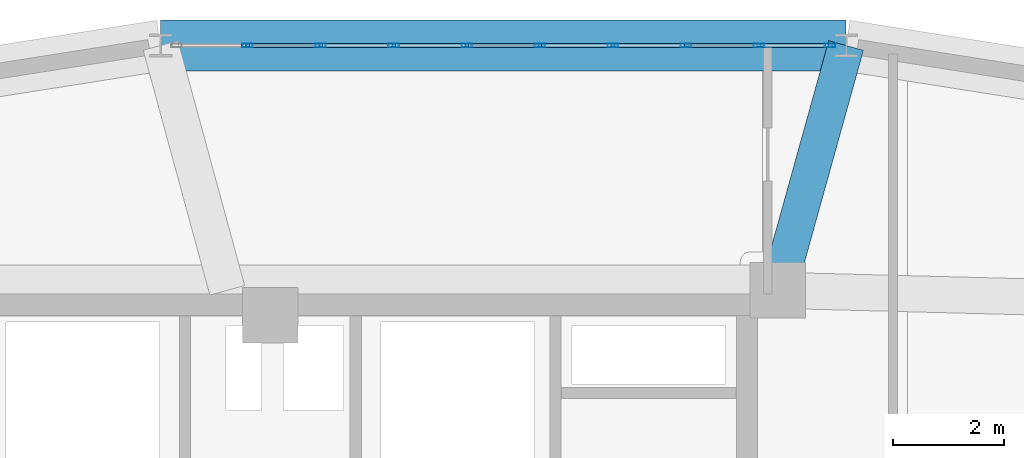
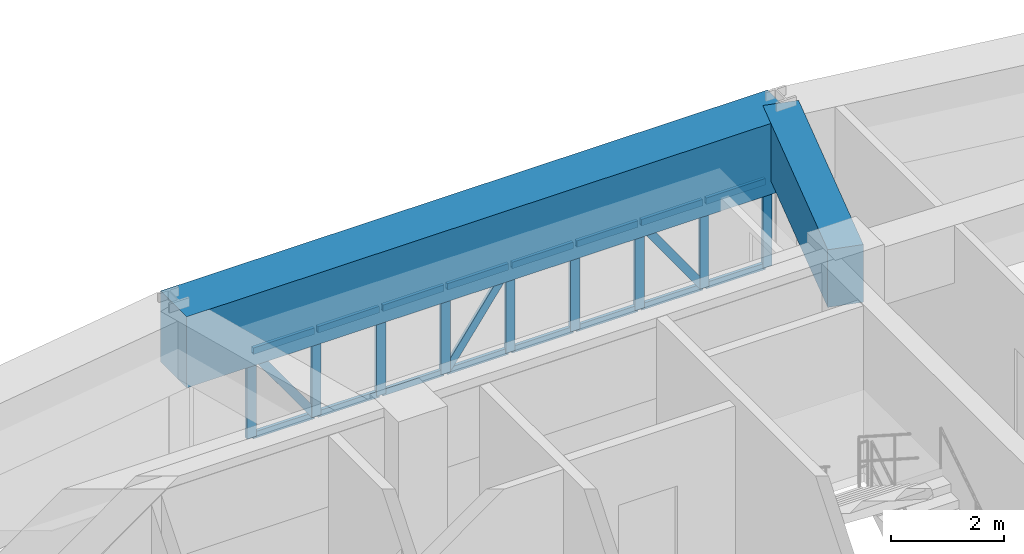
# One storey, part 10 of 16: 28 members, 2 beams, 1 element without a shape of its own.
"""IFC4 building model written with IfcOpenShell, lengths in metres."""

from ifc_helpers import new_model, si_unit, derived_unit, direction, frame, origin, origin_2d, place, context, subcontext, project, spatial, rectangle, hollow_rectangle, extrude, source, transform, mapped, material, layer, layer_set, material_profile, profile_set, type_object, element, aggregate, save


model = new_model("IFC4")

# Units and contexts
model_context = context("Model", 3, precision=1e-05, world=origin(), true_north=direction((0.0, 1.0)))
body_context = subcontext(model_context, "Body", "Model", "MODEL_VIEW")
ifc_project = project(units=[si_unit("LENGTHUNIT", "METRE"), si_unit("AREAUNIT", "SQUARE_METRE"), si_unit("VOLUMEUNIT", "CUBIC_METRE"), si_unit("PLANEANGLEUNIT", "RADIAN"), si_unit("MASSUNIT", "GRAM", prefix="KILO"), derived_unit("THERMALTRANSMITTANCEUNIT", [(si_unit("POWERUNIT", "WATT"), 1), (si_unit("LENGTHUNIT", "METRE"), -2), (si_unit("THERMODYNAMICTEMPERATUREUNIT", "KELVIN"), -1)])], contexts=[model_context])

# Site, building, storey
site_placement = place(None, origin())
site = spatial("IfcSite", under=ifc_project, at=site_placement, CompositionType="ELEMENT")
building_placement = place(site_placement, origin())
building = spatial("IfcBuilding", under=site, at=building_placement, Name="Korsvarv Bourse and Concert Hall", CompositionType="ELEMENT")
storey_placement = place(building_placement, frame((0.0, 0.0, 213.0)))
storey = spatial("IfcBuildingStorey", under=building, at=storey_placement, Name="L55", CompositionType="ELEMENT", Elevation=213.0)

# Beams
ifc_material_1 = material(Name="Concrete C50/60", Category="concrete")
ifc_material_profile_1 = material_profile(ifc_material_1, rectangle(XDim=0.919921875, YDim=1.530029296875, at=origin_2d()), Name="RC-BM 920x1530")
ifc_profile_set_1 = profile_set([ifc_material_profile_1], Name="Concrete C50/60")
beam_type_1 = type_object("IfcBeamType", Name="BM-TR-154", PredefinedType="BEAM", material=ifc_profile_set_1)
shared_shape_1 = source(origin(), body_context, "Body", "SweptSolid", [
    extrude(rectangle(XDim=0.919921875, YDim=1.530029296875, at=origin_2d()), origin(), (0.0, 0.0, 1.0), 12.353515625),
])
beam_1_placement = place(storey_placement, frame((46.376708984375, 51.66162109375, 2.64501953125), z_axis=(-1.0, 0.0, 0.0), x_axis=(0.0, -1.0, 0.0)))
element("IfcBeam", 1, at=beam_1_placement, inside=storey, type_object=beam_type_1, Name="L55 beam B-TR6", PredefinedType="BEAM", context=body_context, shape_type="MappedRepresentation", body=[
    mapped(shared_shape_1, transform((0.0, 0.0, 0.0), scale=1.0)),
])
ifc_material_profile_2 = material_profile(ifc_material_1, rectangle(XDim=0.64990234375, YDim=1.239990234375, at=origin_2d()), Name="RC-BM 650x1240")
ifc_profile_set_2 = profile_set([ifc_material_profile_2], Name="Concrete C50/60")
beam_type_2 = type_object("IfcBeamType", Name="BM-TR-SPN", PredefinedType="BEAM", material=ifc_profile_set_2)
shared_shape_2 = source(origin(), body_context, "Body", "SweptSolid", [
    extrude(rectangle(XDim=0.64990234375, YDim=1.239990234375, at=origin_2d()), origin(), (0.0, 0.0, 1.0), 4.5791015625),
])
beam_2_placement = place(storey_placement, frame((46.376708984375, 51.66162109375, 2.7900390625), z_axis=(-0.267918841219, -0.963441484741, 0.0), x_axis=(0.963441484741, -0.267918841219, 0.0)))
element("IfcBeam", 2, at=beam_2_placement, inside=storey, type_object=beam_type_2, Name="L55 beam B-TRS", PredefinedType="BEAM", context=body_context, shape_type="MappedRepresentation", body=[
    mapped(shared_shape_2, transform((0.0, 0.0, 0.0), scale=1.0)),
])

# Curtain wall, members
ifc_material_2 = material(Name="Anodised aluminium and triple low-E glazing", Category="glass")
ifc_layer = layer(ifc_material_2, 0.199951171875)
ifc_layer_set = layer_set([ifc_layer], Name="Anodised aluminium and triple low-E glazing")
curtain_wall_type = type_object("IfcCurtainWallType", Name="CW-SYS-3", PredefinedType="NOTDEFINED", material=ifc_layer_set)
curtain_wall_placement = place(storey_placement, origin())
curtain_wall = element("IfcCurtainWall", 3, at=curtain_wall_placement, inside=storey, type_object=curtain_wall_type, Name="L55 CW3 curtain wall CW-L55-F03", PredefinedType="NOTDEFINED")
ifc_material_3 = material(Name="Extruded aluminium EN AW-6063 T66", Category="aluminium")
ifc_material_profile_3 = material_profile(ifc_material_3, hollow_rectangle(XDim=0.06494140625, YDim=0.139892578125, WallThickness=0.00390625, at=origin_2d()), Name="ALU-T 65x140")
ifc_profile_set_3 = profile_set([ifc_material_profile_3], Name="Extruded aluminium EN AW-6063 T66")
member_type_1 = type_object("IfcMemberType", Name="CWT-140", PredefinedType="USERDEFINED", material=ifc_profile_set_3)
shared_shape_3 = source(origin(), body_context, "Body", "SweptSolid", [
    extrude(hollow_rectangle(XDim=0.06494140625, YDim=0.139892578125, WallThickness=0.00390625, at=origin_2d()), origin(), (0.0, 0.0, 1.0), 1.21142578125),
])
member_1_placement = place(storey_placement, frame((46.0537109375, 51.66162109375, 0.032470703125), z_axis=(-1.0, 0.0, 0.0), x_axis=(0.0, -1.0, 0.0)))
member_1 = element("IfcMember", 4, at=member_1_placement, type_object=member_type_1, Name="CW3 transom 1.1", ObjectType="TRANSOM", PredefinedType="USERDEFINED", context=body_context, shape_type="MappedRepresentation", body=[
    mapped(shared_shape_3, transform((0.0, 0.0, 0.0), scale=1.0)),
])
member_2_placement = place(storey_placement, frame((46.0537109375, 51.66162109375, 1.847412109375), z_axis=(-1.0, 0.0, 0.0), x_axis=(0.0, -1.0, 0.0)))
member_2 = element("IfcMember", 5, at=member_2_placement, type_object=member_type_1, Name="CW3 transom 1.2", ObjectType="TRANSOM", PredefinedType="USERDEFINED", context=body_context, shape_type="MappedRepresentation", body=[
    mapped(shared_shape_3, transform((0.0, 0.0, 0.0), scale=1.0)),
])
ifc_material_profile_4 = material_profile(ifc_material_3, hollow_rectangle(XDim=0.070068359375, YDim=0.18994140625, WallThickness=0.0048828125, at=origin_2d()), Name="ALU-M 70x190")
ifc_profile_set_4 = profile_set([ifc_material_profile_4], Name="Extruded aluminium EN AW-6063 T66")
member_type_2 = type_object("IfcMemberType", Name="CWM-190", PredefinedType="MULLION", material=ifc_profile_set_4)
shared_shape_4 = source(origin(), body_context, "Body", "SweptSolid", [
    extrude(hollow_rectangle(XDim=0.070068359375, YDim=0.18994140625, WallThickness=0.0048828125, at=origin_2d()), origin(), (0.0, 0.0, 1.0), 1.8798828125),
])
member_3_placement = place(storey_placement, frame((46.088623046875, 51.66162109375, 0.0), z_axis=(0.0, 0.0, 1.0), x_axis=(0.0, -1.0, 0.0)))
member_3 = element("IfcMember", 6, at=member_3_placement, type_object=member_type_2, Name="CW3 mullion 1", PredefinedType="MULLION", context=body_context, shape_type="MappedRepresentation", body=[
    mapped(shared_shape_4, transform((0.0, 0.0, 0.0), scale=1.0)),
])
member_4_placement = place(storey_placement, frame((44.807373046875, 51.66162109375, 0.0), z_axis=(0.0, 0.0, 1.0), x_axis=(0.0, -1.0, 0.0)))
member_4 = element("IfcMember", 7, at=member_4_placement, type_object=member_type_2, Name="CW3 mullion 2", PredefinedType="MULLION", context=body_context, shape_type="MappedRepresentation", body=[
    mapped(shared_shape_4, transform((0.0, 0.0, 0.0), scale=1.0)),
])
member_5_placement = place(storey_placement, frame((43.490966796875, 51.66162109375, 0.0), z_axis=(0.0, 0.0, 1.0), x_axis=(0.0, -1.0, 0.0)))
member_5 = element("IfcMember", 8, at=member_5_placement, type_object=member_type_2, Name="CW3 mullion 3", PredefinedType="MULLION", context=body_context, shape_type="MappedRepresentation", body=[
    mapped(shared_shape_4, transform((0.0, 0.0, 0.0), scale=1.0)),
])
member_6_placement = place(storey_placement, frame((42.174560546875, 51.66162109375, 0.0), z_axis=(0.0, 0.0, 1.0), x_axis=(0.0, -1.0, 0.0)))
member_6 = element("IfcMember", 9, at=member_6_placement, type_object=member_type_2, Name="CW3 mullion 4", PredefinedType="MULLION", context=body_context, shape_type="MappedRepresentation", body=[
    mapped(shared_shape_4, transform((0.0, 0.0, 0.0), scale=1.0)),
])
member_7_placement = place(storey_placement, frame((40.858154296875, 51.66162109375, 0.0), z_axis=(0.0, 0.0, 1.0), x_axis=(0.0, -1.0, 0.0)))
member_7 = element("IfcMember", 10, at=member_7_placement, type_object=member_type_2, Name="CW3 mullion 5", PredefinedType="MULLION", context=body_context, shape_type="MappedRepresentation", body=[
    mapped(shared_shape_4, transform((0.0, 0.0, 0.0), scale=1.0)),
])
member_8_placement = place(storey_placement, frame((39.541748046875, 51.66162109375, 0.0), z_axis=(0.0, 0.0, 1.0), x_axis=(0.0, -1.0, 0.0)))
member_8 = element("IfcMember", 11, at=member_8_placement, type_object=member_type_2, Name="CW3 mullion 6", PredefinedType="MULLION", context=body_context, shape_type="MappedRepresentation", body=[
    mapped(shared_shape_4, transform((0.0, 0.0, 0.0), scale=1.0)),
])
member_9_placement = place(storey_placement, frame((38.225341796875, 51.66162109375, 0.0), z_axis=(0.0, 0.0, 1.0), x_axis=(0.0, -1.0, 0.0)))
member_9 = element("IfcMember", 12, at=member_9_placement, type_object=member_type_2, Name="CW3 mullion 7", PredefinedType="MULLION", context=body_context, shape_type="MappedRepresentation", body=[
    mapped(shared_shape_4, transform((0.0, 0.0, 0.0), scale=1.0)),
])
member_10_placement = place(storey_placement, frame((36.908935546875, 51.66162109375, 0.0), z_axis=(0.0, 0.0, 1.0), x_axis=(0.0, -1.0, 0.0)))
member_10 = element("IfcMember", 13, at=member_10_placement, type_object=member_type_2, Name="CW3 mullion 8", PredefinedType="MULLION", context=body_context, shape_type="MappedRepresentation", body=[
    mapped(shared_shape_4, transform((0.0, 0.0, 0.0), scale=1.0)),
])
member_11_placement = place(storey_placement, frame((35.5927734375, 51.66162109375, 0.0), z_axis=(0.0, 0.0, 1.0), x_axis=(0.0, -1.0, 0.0)))
member_11 = element("IfcMember", 14, at=member_11_placement, type_object=member_type_2, Name="CW3 mullion 9", PredefinedType="MULLION", context=body_context, shape_type="MappedRepresentation", body=[
    mapped(shared_shape_4, transform((0.0, 0.0, 0.0), scale=1.0)),
])
shared_shape_5 = source(origin(), body_context, "Body", "SweptSolid", [
    extrude(hollow_rectangle(XDim=0.06494140625, YDim=0.139892578125, WallThickness=0.00390625, at=origin_2d()), origin(), (0.0, 0.0, 1.0), 1.246337890625),
])
member_12_placement = place(storey_placement, frame((44.772216796875, 51.66162109375, 0.032470703125), z_axis=(-1.0, 0.0, 0.0), x_axis=(0.0, -1.0, 0.0)))
member_12 = element("IfcMember", 15, at=member_12_placement, type_object=member_type_1, Name="CW3 transom 2.1", ObjectType="TRANSOM", PredefinedType="USERDEFINED", context=body_context, shape_type="MappedRepresentation", body=[
    mapped(shared_shape_5, transform((0.0, 0.0, 0.0), scale=1.0)),
])
member_13_placement = place(storey_placement, frame((44.772216796875, 51.66162109375, 1.847412109375), z_axis=(-1.0, 0.0, 0.0), x_axis=(0.0, -1.0, 0.0)))
member_13 = element("IfcMember", 16, at=member_13_placement, type_object=member_type_1, Name="CW3 transom 2.2", ObjectType="TRANSOM", PredefinedType="USERDEFINED", context=body_context, shape_type="MappedRepresentation", body=[
    mapped(shared_shape_5, transform((0.0, 0.0, 0.0), scale=1.0)),
])
member_14_placement = place(storey_placement, frame((42.1396484375, 51.66162109375, 0.032470703125), z_axis=(-1.0, 0.0, 0.0), x_axis=(0.0, -1.0, 0.0)))
member_14 = element("IfcMember", 17, at=member_14_placement, type_object=member_type_1, Name="CW3 transom 4.1", ObjectType="TRANSOM", PredefinedType="USERDEFINED", context=body_context, shape_type="MappedRepresentation", body=[
    mapped(shared_shape_5, transform((0.0, 0.0, 0.0), scale=1.0)),
])
member_15_placement = place(storey_placement, frame((42.1396484375, 51.66162109375, 1.847412109375), z_axis=(-1.0, 0.0, 0.0), x_axis=(0.0, -1.0, 0.0)))
member_15 = element("IfcMember", 18, at=member_15_placement, type_object=member_type_1, Name="CW3 transom 4.2", ObjectType="TRANSOM", PredefinedType="USERDEFINED", context=body_context, shape_type="MappedRepresentation", body=[
    mapped(shared_shape_5, transform((0.0, 0.0, 0.0), scale=1.0)),
])
member_16_placement = place(storey_placement, frame((40.8232421875, 51.66162109375, 0.032470703125), z_axis=(-1.0, 0.0, 0.0), x_axis=(0.0, -1.0, 0.0)))
member_16 = element("IfcMember", 19, at=member_16_placement, type_object=member_type_1, Name="CW3 transom 5.1", ObjectType="TRANSOM", PredefinedType="USERDEFINED", context=body_context, shape_type="MappedRepresentation", body=[
    mapped(shared_shape_5, transform((0.0, 0.0, 0.0), scale=1.0)),
])
member_17_placement = place(storey_placement, frame((40.8232421875, 51.66162109375, 1.847412109375), z_axis=(-1.0, 0.0, 0.0), x_axis=(0.0, -1.0, 0.0)))
member_17 = element("IfcMember", 20, at=member_17_placement, type_object=member_type_1, Name="CW3 transom 5.2", ObjectType="TRANSOM", PredefinedType="USERDEFINED", context=body_context, shape_type="MappedRepresentation", body=[
    mapped(shared_shape_5, transform((0.0, 0.0, 0.0), scale=1.0)),
])
member_18_placement = place(storey_placement, frame((39.5068359375, 51.66162109375, 0.032470703125), z_axis=(-1.0, 0.0, 0.0), x_axis=(0.0, -1.0, 0.0)))
member_18 = element("IfcMember", 21, at=member_18_placement, type_object=member_type_1, Name="CW3 transom 6.1", ObjectType="TRANSOM", PredefinedType="USERDEFINED", context=body_context, shape_type="MappedRepresentation", body=[
    mapped(shared_shape_5, transform((0.0, 0.0, 0.0), scale=1.0)),
])
member_19_placement = place(storey_placement, frame((39.5068359375, 51.66162109375, 1.847412109375), z_axis=(-1.0, 0.0, 0.0), x_axis=(0.0, -1.0, 0.0)))
member_19 = element("IfcMember", 22, at=member_19_placement, type_object=member_type_1, Name="CW3 transom 6.2", ObjectType="TRANSOM", PredefinedType="USERDEFINED", context=body_context, shape_type="MappedRepresentation", body=[
    mapped(shared_shape_5, transform((0.0, 0.0, 0.0), scale=1.0)),
])
member_20_placement = place(storey_placement, frame((38.1904296875, 51.66162109375, 0.032470703125), z_axis=(-1.0, 0.0, 0.0), x_axis=(0.0, -1.0, 0.0)))
member_20 = element("IfcMember", 23, at=member_20_placement, type_object=member_type_1, Name="CW3 transom 7.1", ObjectType="TRANSOM", PredefinedType="USERDEFINED", context=body_context, shape_type="MappedRepresentation", body=[
    mapped(shared_shape_5, transform((0.0, 0.0, 0.0), scale=1.0)),
])
member_21_placement = place(storey_placement, frame((38.1904296875, 51.66162109375, 1.847412109375), z_axis=(-1.0, 0.0, 0.0), x_axis=(0.0, -1.0, 0.0)))
member_21 = element("IfcMember", 24, at=member_21_placement, type_object=member_type_1, Name="CW3 transom 7.2", ObjectType="TRANSOM", PredefinedType="USERDEFINED", context=body_context, shape_type="MappedRepresentation", body=[
    mapped(shared_shape_5, transform((0.0, 0.0, 0.0), scale=1.0)),
])
member_22_placement = place(storey_placement, frame((36.8740234375, 51.66162109375, 0.032470703125), z_axis=(-1.0, 0.0, 0.0), x_axis=(0.0, -1.0, 0.0)))
member_22 = element("IfcMember", 25, at=member_22_placement, type_object=member_type_1, Name="CW3 transom 8.1", ObjectType="TRANSOM", PredefinedType="USERDEFINED", context=body_context, shape_type="MappedRepresentation", body=[
    mapped(shared_shape_5, transform((0.0, 0.0, 0.0), scale=1.0)),
])
member_23_placement = place(storey_placement, frame((36.8740234375, 51.66162109375, 1.847412109375), z_axis=(-1.0, 0.0, 0.0), x_axis=(0.0, -1.0, 0.0)))
member_23 = element("IfcMember", 26, at=member_23_placement, type_object=member_type_1, Name="CW3 transom 8.2", ObjectType="TRANSOM", PredefinedType="USERDEFINED", context=body_context, shape_type="MappedRepresentation", body=[
    mapped(shared_shape_5, transform((0.0, 0.0, 0.0), scale=1.0)),
])
ifc_material_profile_5 = material_profile(ifc_material_3, hollow_rectangle(XDim=0.06494140625, YDim=0.1650390625, WallThickness=0.0048828125, at=origin_2d()), Name="ALU-M 65x165")
ifc_profile_set_5 = profile_set([ifc_material_profile_5], Name="Extruded aluminium EN AW-6063 T66")
member_type_3 = type_object("IfcMemberType", Name="CWM-165", PredefinedType="MULLION", material=ifc_profile_set_5)
shared_shape_6 = source(origin(), body_context, "Body", "SweptSolid", [
    extrude(hollow_rectangle(XDim=0.06494140625, YDim=0.1650390625, WallThickness=0.0048828125, at=origin_2d()), origin(), (0.0, 0.0, 1.0), 2.1484375),
])
member_24_placement = place(storey_placement, frame((44.772216796875, 51.66162109375, 0.06494140625), z_axis=(-0.580108958205, 0.0, 0.81453888588), x_axis=(0.0, -1.0, 0.0)))
member_24 = element("IfcMember", 27, at=member_24_placement, type_object=member_type_3, Name="CW3 diagonal mullion 2", PredefinedType="MULLION", context=body_context, shape_type="MappedRepresentation", body=[
    mapped(shared_shape_6, transform((0.0, 0.0, 0.0), scale=1.0)),
])
member_25_placement = place(storey_placement, frame((39.576904296875, 51.66162109375, 0.06494140625), z_axis=(0.580108958205, 0.0, 0.81453888588), x_axis=(0.0, 1.0, 0.0)))
member_25 = element("IfcMember", 28, at=member_25_placement, type_object=member_type_3, Name="CW3 diagonal mullion 5", PredefinedType="MULLION", context=body_context, shape_type="MappedRepresentation", body=[
    mapped(shared_shape_6, transform((0.0, 0.0, 0.0), scale=1.0)),
])
member_26_placement = place(storey_placement, frame((36.8740234375, 51.66162109375, 0.06494140625), z_axis=(-0.580108958205, 0.0, 0.81453888588), x_axis=(0.0, -1.0, 0.0)))
member_26 = element("IfcMember", 29, at=member_26_placement, type_object=member_type_3, Name="CW3 diagonal mullion 8", PredefinedType="MULLION", context=body_context, shape_type="MappedRepresentation", body=[
    mapped(shared_shape_6, transform((0.0, 0.0, 0.0), scale=1.0)),
])
shared_shape_7 = source(origin(), body_context, "Body", "SweptSolid", [
    extrude(hollow_rectangle(XDim=0.06494140625, YDim=0.139892578125, WallThickness=0.00390625, at=origin_2d()), origin(), (0.0, 0.0, 1.0), 1.24658203125),
])
member_27_placement = place(storey_placement, frame((43.4560546875, 51.66162109375, 0.032470703125), z_axis=(-1.0, 0.0, 0.0), x_axis=(0.0, -1.0, 0.0)))
member_27 = element("IfcMember", 30, at=member_27_placement, type_object=member_type_1, Name="CW3 transom 3.1", ObjectType="TRANSOM", PredefinedType="USERDEFINED", context=body_context, shape_type="MappedRepresentation", body=[
    mapped(shared_shape_7, transform((0.0, 0.0, 0.0), scale=1.0)),
])
member_28_placement = place(storey_placement, frame((43.4560546875, 51.66162109375, 1.847412109375), z_axis=(-1.0, 0.0, 0.0), x_axis=(0.0, -1.0, 0.0)))
member_28 = element("IfcMember", 31, at=member_28_placement, type_object=member_type_1, Name="CW3 transom 3.2", ObjectType="TRANSOM", PredefinedType="USERDEFINED", context=body_context, shape_type="MappedRepresentation", body=[
    mapped(shared_shape_7, transform((0.0, 0.0, 0.0), scale=1.0)),
])
aggregate(curtain_wall, [member_3, member_4, member_5, member_6, member_7, member_8, member_9, member_10, member_11, member_1, member_2, member_12, member_13, member_24, member_27, member_28, member_14, member_15, member_16, member_17, member_25, member_18, member_19, member_20, member_21, member_22, member_23, member_26])

save(model, "model.ifc")
